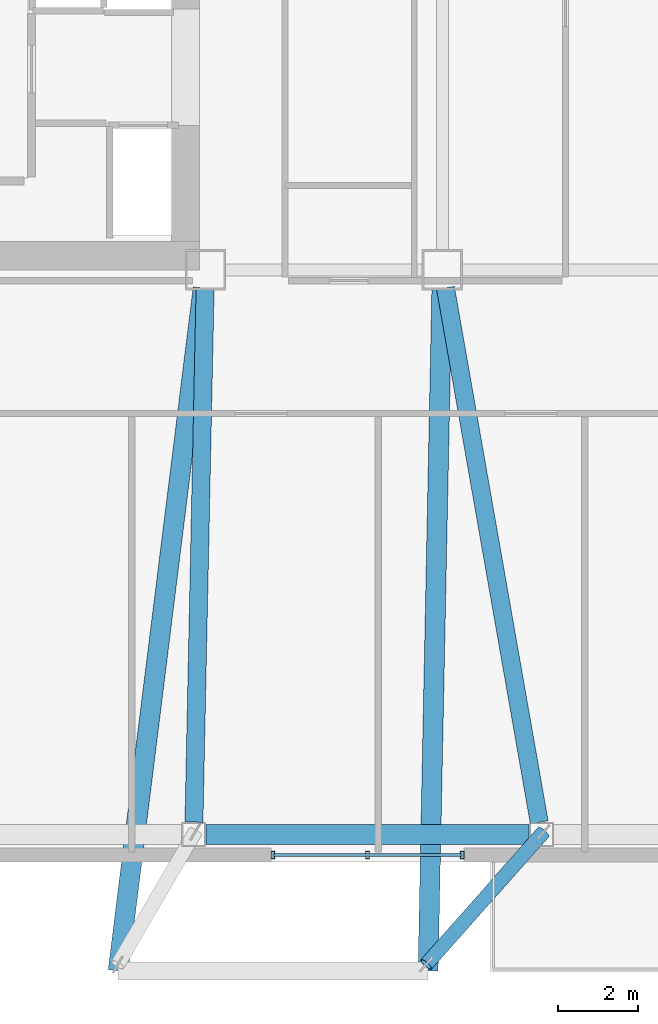
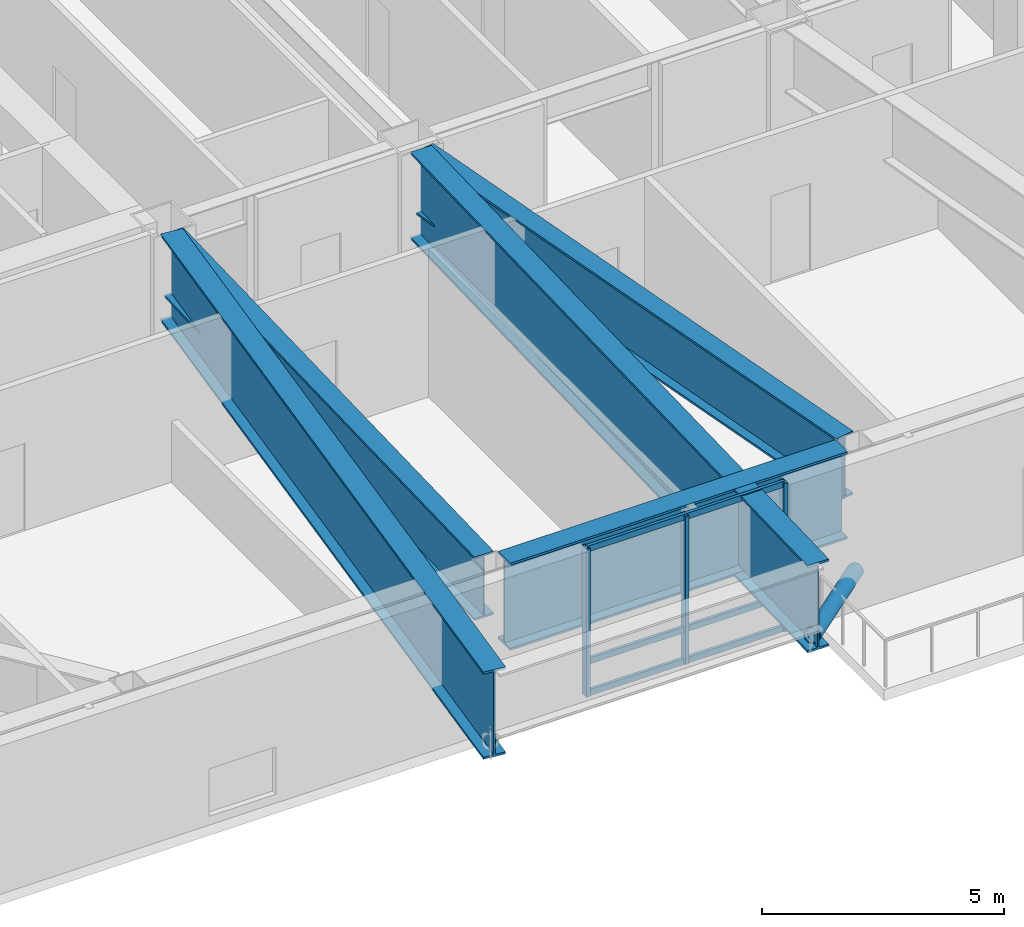
# One storey, part 2 of 18: 7 members, 5 beams, 1 element without a shape of its own.
"""IFC4 building model written with IfcOpenShell, lengths in metres."""

from ifc_helpers import new_model, si_unit, direction, frame, origin, origin_2d, place, context, subcontext, project, spatial, hollow_rectangle, hollow_circle, i_section, extrude, material, layer, layer_set, material_profile, profile_set, type_object, element, aggregate, save


model = new_model("IFC4")

# Units and contexts
model_context = context("Model", 3, precision=1e-05, world=origin(), true_north=direction((0.0, 1.0)))
body_context = subcontext(model_context, "Body", "Model", "MODEL_VIEW")
ifc_project = project(units=[si_unit("LENGTHUNIT", "METRE"), si_unit("AREAUNIT", "SQUARE_METRE"), si_unit("VOLUMEUNIT", "CUBIC_METRE"), si_unit("PLANEANGLEUNIT", "RADIAN"), si_unit("MASSUNIT", "GRAM", prefix="KILO")], contexts=[model_context])

# Site, building, storey
site_placement = place(None, origin())
site = spatial("IfcSite", under=ifc_project, at=site_placement, CompositionType="ELEMENT")
building_placement = place(site_placement, origin())
building = spatial("IfcBuilding", under=site, at=building_placement, Name="Tavrogorsk Clinical Tower", CompositionType="ELEMENT")
storey_placement = place(building_placement, frame((0.0, 0.0, 152.199951171875)))
storey = spatial("IfcBuildingStorey", under=building, at=storey_placement, Name="L34", CompositionType="ELEMENT", Elevation=152.199951171875)

# Curtain wall, members
ifc_material_1 = material(Name="Anodised aluminium and triple IGU glazing", Category="aluminium")
ifc_layer = layer(ifc_material_1, 0.179931640625)
ifc_layer_set = layer_set([ifc_layer], Name="Anodised aluminium and triple IGU glazing")
curtain_wall_type = type_object("IfcCurtainWallType", Name="CW3_SouthSlot", PredefinedType="NOTDEFINED", material=ifc_layer_set)
curtain_wall_placement = place(storey_placement, origin())
curtain_wall = element("IfcCurtainWall", 1, at=curtain_wall_placement, inside=storey, type_object=curtain_wall_type, Name="L34 Curtain Wall CW-L34-S-SLOT-1", PredefinedType="NOTDEFINED")
ifc_material_2 = material(Name="Anodised aluminium alloy AW-6060", Category="aluminium")
ifc_material_profile_1 = material_profile(ifc_material_2, hollow_rectangle(XDim=0.090087890625, YDim=0.179931640625, WallThickness=0.00634765625, at=origin_2d()), Name="RHS-180x90x6.3")
ifc_profile_set_1 = profile_set([ifc_material_profile_1], Name="Anodised aluminium alloy AW-6060")
member_type_1 = type_object("IfcMemberType", Name="CwMullion_180x90", PredefinedType="MULLION", material=ifc_profile_set_1)
member_1_placement = place(storey_placement, frame((-8.621826171875, -20.929931640625, 0.0), z_axis=(0.0, 0.0, 1.0), x_axis=(1.0, 0.0, 0.0)))
member_1 = element("IfcMember", 2, at=member_1_placement, type_object=member_type_1, Name="CW-L34-S-SLOT-1 Mullion 1", PredefinedType="MULLION", context=body_context, shape_type="SweptSolid", body=[
    extrude(hollow_rectangle(XDim=0.090087890625, YDim=0.179931640625, WallThickness=0.00634765625, at=origin_2d()), origin(), (0.0, 0.0, 1.0), 3.739990234375),
])
member_2_placement = place(storey_placement, frame((-6.262939453125, -20.929931640625, 0.0), z_axis=(0.0, 0.0, 1.0), x_axis=(1.0, 0.0, 0.0)))
member_2 = element("IfcMember", 3, at=member_2_placement, type_object=member_type_1, Name="CW-L34-S-SLOT-1 Mullion 2", PredefinedType="MULLION", context=body_context, shape_type="SweptSolid", body=[
    extrude(hollow_rectangle(XDim=0.090087890625, YDim=0.179931640625, WallThickness=0.00634765625, at=origin_2d()), origin(), (0.0, 0.0, 1.0), 3.739990234375),
])
member_3_placement = place(storey_placement, frame((-3.90380859375, -20.929931640625, 0.0), z_axis=(0.0, 0.0, 1.0), x_axis=(1.0, 0.0, 0.0)))
member_3 = element("IfcMember", 4, at=member_3_placement, type_object=member_type_1, Name="CW-L34-S-SLOT-1 Mullion 3", PredefinedType="MULLION", context=body_context, shape_type="SweptSolid", body=[
    extrude(hollow_rectangle(XDim=0.090087890625, YDim=0.179931640625, WallThickness=0.00634765625, at=origin_2d()), origin(), (0.0, 0.0, 1.0), 3.739990234375),
])
ifc_material_3 = material(Name="Anodised aluminium alloy AW-6060", Category="aluminium")
ifc_material_profile_2 = material_profile(ifc_material_3, hollow_rectangle(XDim=0.074951171875, YDim=0.14990234375, WallThickness=0.0048828125, at=origin_2d()), Name="RHS-150x75x5")
ifc_profile_set_2 = profile_set([ifc_material_profile_2], Name="Anodised aluminium alloy AW-6060")
member_type_2 = type_object("IfcMemberType", Name="CwTransom_150x75", PredefinedType="USERDEFINED", material=ifc_profile_set_2)
member_4_placement = place(storey_placement, frame((-8.621826171875, -20.929931640625, 0.050048828125), z_axis=(1.0, 0.0, 0.0), x_axis=(0.0, 1.0, 0.0)))
member_4 = element("IfcMember", 5, at=member_4_placement, type_object=member_type_2, Name="CW-L34-S-SLOT-1 Transom 1", ObjectType="TRANSOM", PredefinedType="USERDEFINED", context=body_context, shape_type="SweptSolid", body=[
    extrude(hollow_rectangle(XDim=0.074951171875, YDim=0.14990234375, WallThickness=0.0048828125, at=origin_2d()), origin(), (0.0, 0.0, 1.0), 4.718017578125),
])
member_5_placement = place(storey_placement, frame((-8.621826171875, -20.929931640625, 0.85009765625), z_axis=(1.0, 0.0, 0.0), x_axis=(0.0, 1.0, 0.0)))
member_5 = element("IfcMember", 6, at=member_5_placement, type_object=member_type_2, Name="CW-L34-S-SLOT-1 Transom 2", ObjectType="TRANSOM", PredefinedType="USERDEFINED", context=body_context, shape_type="SweptSolid", body=[
    extrude(hollow_rectangle(XDim=0.074951171875, YDim=0.14990234375, WallThickness=0.0048828125, at=origin_2d()), origin(), (0.0, 0.0, 1.0), 4.718017578125),
])
member_6_placement = place(storey_placement, frame((-8.621826171875, -20.929931640625, 3.68994140625), z_axis=(1.0, 0.0, 0.0), x_axis=(0.0, 1.0, 0.0)))
member_6 = element("IfcMember", 7, at=member_6_placement, type_object=member_type_2, Name="CW-L34-S-SLOT-1 Transom 3", ObjectType="TRANSOM", PredefinedType="USERDEFINED", context=body_context, shape_type="SweptSolid", body=[
    extrude(hollow_rectangle(XDim=0.074951171875, YDim=0.14990234375, WallThickness=0.0048828125, at=origin_2d()), origin(), (0.0, 0.0, 1.0), 4.718017578125),
])
aggregate(curtain_wall, [member_1, member_2, member_3, member_4, member_5, member_6])

# Member
ifc_material_4 = material(Name="Structural steel S390", Category="steel")
ifc_material_profile_3 = material_profile(ifc_material_4, hollow_circle(Radius=0.177734375, WallThickness=0.01416015625, at=origin_2d()), Name="CHS-355.6x14.2")
ifc_profile_set_3 = profile_set([ifc_material_profile_3], Name="Structural steel S390")
member_type_3 = type_object("IfcMemberType", Name="DayroomStrut_CHS355", PredefinedType="STRUT", material=ifc_profile_set_3)
member_7_placement = place(storey_placement, frame((-1.880859375, -20.36279296875, 0.426025390625), z_axis=(-0.632574856483, -0.713716242038, 0.300762658581), x_axis=(0.748366335822, -0.663285630334, 0.0)))
element("IfcMember", 8, at=member_7_placement, inside=storey, type_object=member_type_3, Name="L35 Day-Room Raking Strut DRB-05-R", PredefinedType="STRUT", context=body_context, shape_type="SweptSolid", body=[
    extrude(hollow_circle(Radius=0.177734375, WallThickness=0.01416015625, at=origin_2d()), origin(), (0.0, 0.0, 1.0), 4.615478515625),
])

# Beams
ifc_material_5 = material(Name="Structural steel S440", Category="steel")
ifc_material_profile_4 = material_profile(ifc_material_5, i_section(OverallWidth=0.449951171875, OverallDepth=1.60009765625, WebThickness=0.031982421875, FlangeThickness=0.050048828125, at=origin_2d()), Name="DK-1600x450x32x50")
ifc_profile_set_4 = profile_set([ifc_material_profile_4], Name="Structural steel S440")
beam_type_1 = type_object("IfcBeamType", Name="TransferGirder_DK1600", PredefinedType="USERDEFINED", material=ifc_profile_set_4)
beam_1_placement = place(storey_placement, frame((-10.3095703125, -6.809814453125, 2.93994140625), z_axis=(-0.020918227738, -0.999781189935, 0.0), x_axis=(0.999781189935, -0.020918227738, 0.0)))
element("IfcBeam", 9, at=beam_1_placement, inside=storey, type_object=beam_type_1, Name="L34 Radial Floor Beam S3", ObjectType="GIRDER", PredefinedType="USERDEFINED", context=body_context, shape_type="SweptSolid", body=[
    extrude(i_section(OverallWidth=0.449951171875, OverallDepth=1.60009765625, WebThickness=0.031982421875, FlangeThickness=0.050048828125, at=origin_2d()), origin(), (0.0, 0.0, 1.0), 13.30517578125),
])
beam_2_placement = place(storey_placement, frame((-4.320556640625, -6.802978515625, 2.93994140625), z_axis=(0.172813618802, -0.984954543701, 0.0), x_axis=(0.984954543701, 0.172813618802, 0.0)))
element("IfcBeam", 10, at=beam_2_placement, inside=storey, type_object=beam_type_1, Name="L34 Radial Floor Beam S4", ObjectType="GIRDER", PredefinedType="USERDEFINED", context=body_context, shape_type="SweptSolid", body=[
    extrude(i_section(OverallWidth=0.449951171875, OverallDepth=1.60009765625, WebThickness=0.031982421875, FlangeThickness=0.050048828125, at=origin_2d()), origin(), (0.0, 0.0, 1.0), 13.51708984375),
])
ifc_material_6 = material(Name="Structural steel S440", Category="steel")
ifc_material_profile_5 = material_profile(ifc_material_6, i_section(OverallWidth=0.5, OverallDepth=2.199951171875, WebThickness=0.035888671875, FlangeThickness=0.054931640625, at=origin_2d()), Name="DK-2200x500x36x55")
ifc_profile_set_5 = profile_set([ifc_material_profile_5], Name="Structural steel S440")
beam_type_2 = type_object("IfcBeamType", Name="TransferGirder_DK2200", PredefinedType="USERDEFINED", material=ifc_profile_set_5)
beam_3_placement = place(storey_placement, frame((-10.286376953125, -20.419921875, 2.64013671875), z_axis=(1.0, 0.0, 0.0), x_axis=(0.0, 1.0, 0.0)))
element("IfcBeam", 11, at=beam_3_placement, inside=storey, type_object=beam_type_2, Name="L34 Perimeter Spandrel S3-S4", ObjectType="GIRDER", PredefinedType="USERDEFINED", context=body_context, shape_type="SweptSolid", body=[
    extrude(i_section(OverallWidth=0.5, OverallDepth=2.199951171875, WebThickness=0.035888671875, FlangeThickness=0.054931640625, at=origin_2d()), origin(), (0.0, 0.0, 1.0), 8.046875),
])
beam_4_placement = place(storey_placement, frame((-10.35693359375, -6.806396484375, 2.64013671875), z_axis=(-0.123682428212, -0.992321851494, 0.0), x_axis=(0.992321851494, -0.123682428212, 0.0)))
element("IfcBeam", 12, at=beam_4_placement, inside=storey, type_object=beam_type_2, Name="L35 Day-Room Base Transfer Girder DRB-05-L", ObjectType="GIRDER", PredefinedType="USERDEFINED", context=body_context, shape_type="SweptSolid", body=[
    extrude(i_section(OverallWidth=0.5, OverallDepth=2.199951171875, WebThickness=0.035888671875, FlangeThickness=0.054931640625, at=origin_2d()), origin(), (0.0, 0.0, 1.0), 17.1435546875),
])
beam_5_placement = place(storey_placement, frame((-4.409423828125, -6.809814453125, 2.64013671875), z_axis=(-0.02027599272, -0.999794420928, 0.0), x_axis=(0.999794420928, -0.02027599272, 0.0)))
element("IfcBeam", 13, at=beam_5_placement, inside=storey, type_object=beam_type_2, Name="L35 Day-Room Base Transfer Girder DRB-05-R", ObjectType="GIRDER", PredefinedType="USERDEFINED", context=body_context, shape_type="SweptSolid", body=[
    extrude(i_section(OverallWidth=0.5, OverallDepth=2.199951171875, WebThickness=0.035888671875, FlangeThickness=0.054931640625, at=origin_2d()), origin(), (0.0, 0.0, 1.0), 17.013671875),
])

save(model, "model.ifc")
